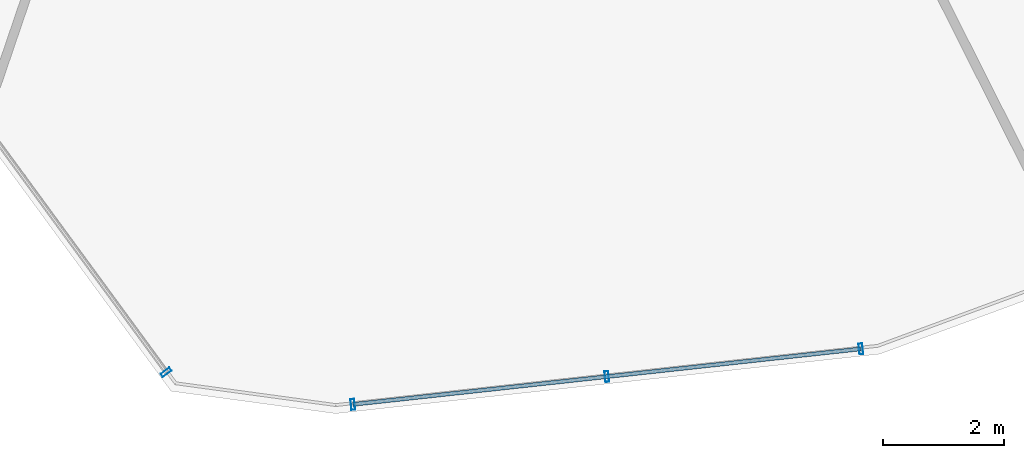
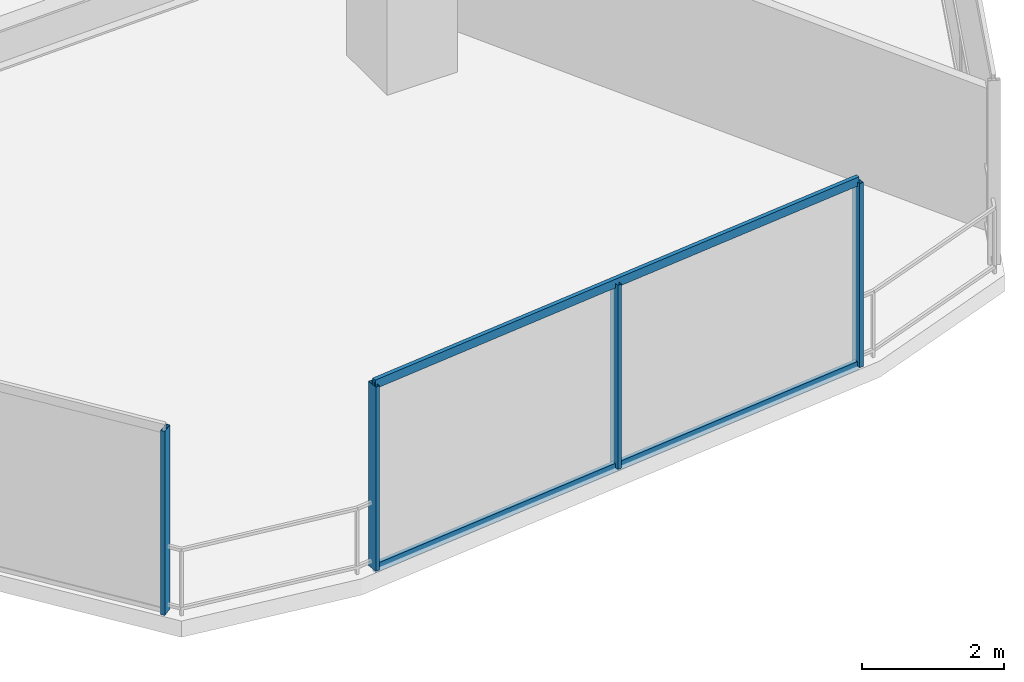
# One storey, part 4 of 30: 6 members, 2 elements without a shape of their own.
"""IFC4 building model written with IfcOpenShell, lengths in metres."""

from ifc_helpers import new_model, si_unit, direction, frame, origin, origin_2d, place, context, subcontext, project, spatial, hollow_rectangle, extrude, material, layer, layer_set, material_profile, profile_set, type_object, element, aggregate, save


model = new_model("IFC4")

# Units and contexts
model_context = context("Model", 3, precision=1e-05, world=origin(), true_north=direction((0.0, 1.0)))
body_context = subcontext(model_context, "Body", "Model", "MODEL_VIEW")
ifc_project = project(units=[si_unit("LENGTHUNIT", "METRE"), si_unit("AREAUNIT", "SQUARE_METRE"), si_unit("VOLUMEUNIT", "CUBIC_METRE"), si_unit("PLANEANGLEUNIT", "RADIAN"), si_unit("MASSUNIT", "GRAM", prefix="KILO")], contexts=[model_context])

# Site, building, storey
site_placement = place(None, origin())
site = spatial("IfcSite", under=ifc_project, at=site_placement, CompositionType="ELEMENT")
building_placement = place(site_placement, origin())
building = spatial("IfcBuilding", under=site, at=building_placement, Name="Qarnah Convention Tower", CompositionType="ELEMENT")
storey_placement = place(building_placement, frame((0.0, 0.0, 90.14990234375)))
storey = spatial("IfcBuildingStorey", under=building, at=storey_placement, Name="L23", CompositionType="ELEMENT", Elevation=90.14990234375)

# Curtain wall, member
ifc_material_1 = material(Name="Tempered Low-E dark glass", Category="glass")
ifc_layer = layer(ifc_material_1, 0.169921875)
ifc_layer_set = layer_set([ifc_layer], Name="Tempered Low-E dark glass")
curtain_wall_type = type_object("IfcCurtainWallType", Name="CWS-02", PredefinedType="NOTDEFINED", material=ifc_layer_set)
curtain_wall_1_placement = place(storey_placement, origin())
curtain_wall_1 = element("IfcCurtainWall", 1, at=curtain_wall_1_placement, inside=storey, type_object=curtain_wall_type, Name="L23 unitised curtain wall CW-L23-F3", PredefinedType="NOTDEFINED")
ifc_material_2 = material(Name="Black anodised aluminium", Category="aluminium")
ifc_material_profile_1 = material_profile(ifc_material_2, hollow_rectangle(XDim=0.06494140625, YDim=0.179931640625, WallThickness=0.00390625, at=origin_2d()), Name="MUL-65X180")
ifc_profile_set_1 = profile_set([ifc_material_profile_1], Name="Black anodised aluminium")
member_type_1 = type_object("IfcMemberType", Name="MUL-T2", PredefinedType="MULLION", material=ifc_profile_set_1)
member_1_placement = place(storey_placement, frame((33.428955078125, 1.882080078125, 0.0), z_axis=(0.0, 0.0, 1.0), x_axis=(-0.591160568734, 0.806553892789, 0.0)))
member_1 = element("IfcMember", 2, at=member_1_placement, type_object=member_type_1, Name="CW-L23-F3 mullion 1", PredefinedType="MULLION", context=body_context, shape_type="SweptSolid", body=[
    extrude(hollow_rectangle(XDim=0.06494140625, YDim=0.179931640625, WallThickness=0.00390625, at=origin_2d()), origin(), (0.0, 0.0, 1.0), 3.170166015625),
])
aggregate(curtain_wall_1, [member_1])

# Curtain wall, members
curtain_wall_2_placement = place(storey_placement, origin())
curtain_wall_2 = element("IfcCurtainWall", 3, at=curtain_wall_2_placement, inside=storey, type_object=curtain_wall_type, Name="L23 unitised curtain wall CW-L23-F4", PredefinedType="NOTDEFINED")
member_2_placement = place(storey_placement, frame((44.93310546875, 2.27001953125, 0.0), z_axis=(0.0, 0.0, 1.0), x_axis=(-0.994072489394, -0.108719298329, 0.0)))
member_2 = element("IfcMember", 4, at=member_2_placement, type_object=member_type_1, Name="CW-L23-F4 mullion 1", PredefinedType="MULLION", context=body_context, shape_type="SweptSolid", body=[
    extrude(hollow_rectangle(XDim=0.06494140625, YDim=0.179931640625, WallThickness=0.00390625, at=origin_2d()), origin(), (0.0, 0.0, 1.0), 3.170166015625),
])
member_3_placement = place(storey_placement, frame((40.72705078125, 1.81005859375, 0.0), z_axis=(0.0, 0.0, 1.0), x_axis=(-0.994072489394, -0.108719298329, 0.0)))
member_3 = element("IfcMember", 5, at=member_3_placement, type_object=member_type_1, Name="CW-L23-F4 mullion 2", PredefinedType="MULLION", context=body_context, shape_type="SweptSolid", body=[
    extrude(hollow_rectangle(XDim=0.06494140625, YDim=0.179931640625, WallThickness=0.00390625, at=origin_2d()), origin(), (0.0, 0.0, 1.0), 3.170166015625),
])
member_4_placement = place(storey_placement, frame((36.52099609375, 1.35009765625, 0.0), z_axis=(0.0, 0.0, 1.0), x_axis=(-0.994072489394, -0.108719298329, 0.0)))
member_4 = element("IfcMember", 6, at=member_4_placement, type_object=member_type_1, Name="CW-L23-F4 mullion 3", PredefinedType="MULLION", context=body_context, shape_type="SweptSolid", body=[
    extrude(hollow_rectangle(XDim=0.06494140625, YDim=0.179931640625, WallThickness=0.00390625, at=origin_2d()), origin(), (0.0, 0.0, 1.0), 3.170166015625),
])
ifc_material_profile_2 = material_profile(ifc_material_2, hollow_rectangle(XDim=0.06494140625, YDim=0.14990234375, WallThickness=0.00390625, at=origin_2d()), Name="TRN-65X150")
ifc_profile_set_2 = profile_set([ifc_material_profile_2], Name="Black anodised aluminium")
member_type_2 = type_object("IfcMemberType", Name="TRN-T2", PredefinedType="USERDEFINED", material=ifc_profile_set_2)
member_5_placement = place(storey_placement, frame((44.93310546875, 2.27001953125, 0.0), z_axis=(-0.994073640484, -0.108708772851, 0.0), x_axis=(0.108708772851, -0.994073640484, 0.0)))
member_5 = element("IfcMember", 7, at=member_5_placement, type_object=member_type_2, Name="CW-L23-F4 transom 1", ObjectType="TRANSOM", PredefinedType="USERDEFINED", context=body_context, shape_type="SweptSolid", body=[
    extrude(hollow_rectangle(XDim=0.06494140625, YDim=0.14990234375, WallThickness=0.00390625, at=origin_2d()), origin(), (0.0, 0.0, 1.0), 8.462158203125),
])
member_6_placement = place(storey_placement, frame((44.93310546875, 2.27001953125, 3.170166015625), z_axis=(-0.994073640484, -0.108708772851, 0.0), x_axis=(0.108708772851, -0.994073640484, 0.0)))
member_6 = element("IfcMember", 8, at=member_6_placement, type_object=member_type_2, Name="CW-L23-F4 transom 2", ObjectType="TRANSOM", PredefinedType="USERDEFINED", context=body_context, shape_type="SweptSolid", body=[
    extrude(hollow_rectangle(XDim=0.06494140625, YDim=0.14990234375, WallThickness=0.00390625, at=origin_2d()), origin(), (0.0, 0.0, 1.0), 8.462158203125),
])
aggregate(curtain_wall_2, [member_2, member_3, member_4, member_5, member_6])

save(model, "model.ifc")
